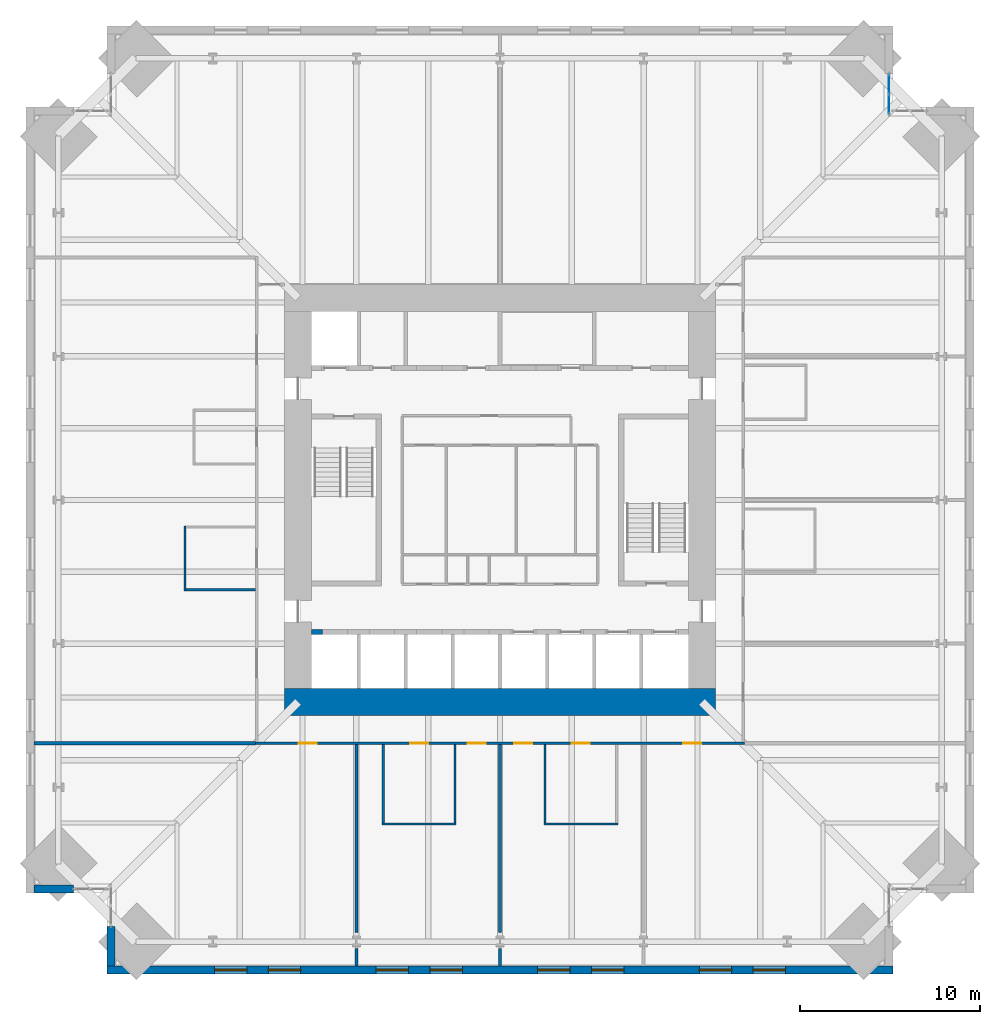
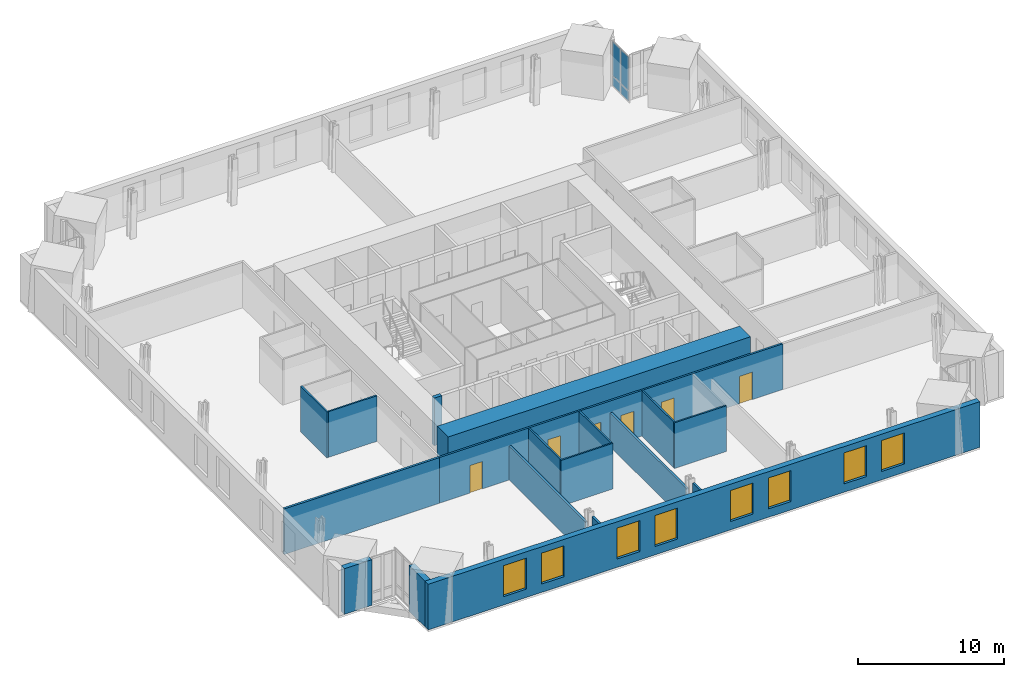
# One storey, part 13 of 18: 18 walls, 8 windows, 6 doors, 4 plates, 14 openings, 1 element without a shape of its own.
"""IFC4 building model written with IfcOpenShell, lengths in metres."""

from ifc_helpers import new_model, si_unit, direction, frame, frame_2d, origin, origin_2d, place, context, subcontext, project, spatial, rectangle, extrude, material, layer, layer_set, type_object, element, fill, aggregate, save


model = new_model("IFC4")

# Units and contexts
model_context = context("Model", 3, precision=1e-05, world=origin(), true_north=direction((0.0, 1.0)))
body_context = subcontext(model_context, "Body", "Model", "MODEL_VIEW")
ifc_project = project(units=[si_unit("LENGTHUNIT", "METRE"), si_unit("AREAUNIT", "SQUARE_METRE"), si_unit("VOLUMEUNIT", "CUBIC_METRE"), si_unit("PLANEANGLEUNIT", "RADIAN"), si_unit("MASSUNIT", "GRAM", prefix="KILO")], contexts=[model_context])

# Site, building, storey
site_placement = place(None, origin())
site = spatial("IfcSite", under=ifc_project, at=site_placement, CompositionType="ELEMENT")
building_placement = place(site_placement, origin())
building = spatial("IfcBuilding", under=site, at=building_placement, Name="Peilmerk Tower", CompositionType="ELEMENT")
storey_placement = place(building_placement, frame((0.0, 0.0, 155.800048828125)))
storey = spatial("IfcBuildingStorey", under=building, at=storey_placement, Name="L32", CompositionType="ELEMENT", Elevation=155.800048828125)

# Curtain wall, plates
ifc_material_1 = material(Name="Aluminium stick curtain wall", Category="aluminium")
curtain_wall_type = type_object("IfcCurtainWallType", Name="CW3 stick curtain wall, 2250 module", PredefinedType="NOTDEFINED", material=ifc_material_1)
curtain_wall_placement = place(storey_placement, origin())
curtain_wall = element("IfcCurtainWall", 1, at=curtain_wall_placement, inside=storey, type_object=curtain_wall_type, Name="Curtain wall CW3 NEA L32", PredefinedType="NOTDEFINED")
ifc_material_2 = material(Name="Clear insulated glazing unit", Category="glass")
ifc_layer_1 = layer(ifc_material_2, 0.028076171875)
ifc_layer_set_1 = layer_set([ifc_layer_1], Name="Clear insulated glazing unit")
plate_type = type_object("IfcPlateType", Name="CW3-P 28 glazed panel", PredefinedType="CURTAIN_PANEL", material=ifc_layer_set_1)
plate_1_placement = place(storey_placement, frame((21.675048828125, 22.038330078125, 0.06494140625), z_axis=(0.0, 0.0, 1.0), x_axis=(0.0, 1.0, 0.0)))
plate_1 = element("IfcPlate", 2, at=plate_1_placement, type_object=plate_type, Name="CW3 panel 1.1", PredefinedType="CURTAIN_PANEL", context=body_context, shape_type="SweptSolid", body=[
    extrude(rectangle(XDim=1.046875, YDim=0.028076171875, at=origin_2d()), origin(), (0.0, 0.0, 1.0), 0.802490234375),
])
plate_2_placement = place(storey_placement, frame((21.675048828125, 22.038330078125, 0.932373046875), z_axis=(0.0, 0.0, 1.0), x_axis=(0.0, 1.0, 0.0)))
plate_2 = element("IfcPlate", 3, at=plate_2_placement, type_object=plate_type, Name="CW3 panel 1.2", PredefinedType="CURTAIN_PANEL", context=body_context, shape_type="SweptSolid", body=[
    extrude(rectangle(XDim=1.046875, YDim=0.028076171875, at=origin_2d()), origin(), (0.0, 0.0, 1.0), 2.83251953125),
])
plate_3_placement = place(storey_placement, frame((21.675048828125, 23.150146484375, 0.06494140625), z_axis=(0.0, 0.0, 1.0), x_axis=(0.0, 1.0, 0.0)))
plate_3 = element("IfcPlate", 4, at=plate_3_placement, type_object=plate_type, Name="CW3 panel 2.1", PredefinedType="CURTAIN_PANEL", context=body_context, shape_type="SweptSolid", body=[
    extrude(rectangle(XDim=1.046875, YDim=0.028076171875, at=origin_2d()), origin(), (0.0, 0.0, 1.0), 0.802490234375),
])
plate_4_placement = place(storey_placement, frame((21.675048828125, 23.150146484375, 0.932373046875), z_axis=(0.0, 0.0, 1.0), x_axis=(0.0, 1.0, 0.0)))
plate_4 = element("IfcPlate", 5, at=plate_4_placement, type_object=plate_type, Name="CW3 panel 2.2", PredefinedType="CURTAIN_PANEL", context=body_context, shape_type="SweptSolid", body=[
    extrude(rectangle(XDim=1.046875, YDim=0.028076171875, at=origin_2d()), origin(), (0.0, 0.0, 1.0), 2.83251953125),
])
aggregate(curtain_wall, [plate_1, plate_2, plate_3, plate_4])

# Wall, openings, windows
ifc_material_3 = material(Name="Precast concrete C45/55, board-marked finish", Category="concrete")
ifc_layer_2 = layer(ifc_material_3, 0.449951171875)
ifc_layer_set_2 = layer_set([ifc_layer_2], Name="Precast concrete C45/55, board-marked finish")
wall_type_1 = type_object("IfcWallType", Name="EW1 450 precast concrete facade wall, board-marked", PredefinedType="SOLIDWALL", material=ifc_layer_set_2)
wall_1_placement = place(storey_placement, frame((-21.89990234375, -26.175048828125, 0.0), z_axis=(0.0, 0.0, 1.0), x_axis=(1.0, 0.0, 0.0)))
wall_1 = element("IfcWall", 6, at=wall_1_placement, inside=storey, type_object=wall_type_1, Name="Facade wall S L32", PredefinedType="SOLIDWALL", context=body_context, shape_type="SweptSolid", body=[
    extrude(rectangle(XDim=43.7998046875, YDim=0.449951171875, at=frame_2d((21.89990234375, 0.0))), origin(), (0.0, 0.0, 1.0), 3.829833984375),
])
opening_1_placement = place(wall_1_placement, frame((6.0, 0.0, 0.699951171875)))
opening_1 = element("IfcOpeningElement", 7, at=opening_1_placement, cuts=wall_1, Name="Opening W1", PredefinedType="OPENING", context=body_context, shape_type="SweptSolid", body=[
    extrude(rectangle(XDim=1.800048828125, YDim=2.60009765625, at=frame_2d((0.89990234375, 1.300048828125))), frame((0.0, 0.23486328125, 0.0), z_axis=(0.0, -1.0, 0.0), x_axis=(1.0, 0.0, 0.0)), (0.0, 0.0, 1.0), 0.469970703125),
])
opening_2_placement = place(wall_1_placement, frame((9.0, 0.0, 0.699951171875)))
opening_2 = element("IfcOpeningElement", 8, at=opening_2_placement, cuts=wall_1, Name="Opening W1", PredefinedType="OPENING", context=body_context, shape_type="SweptSolid", body=[
    extrude(rectangle(XDim=1.800048828125, YDim=2.60009765625, at=frame_2d((0.89990234375, 1.300048828125))), frame((0.0, 0.23486328125, 0.0), z_axis=(0.0, -1.0, 0.0), x_axis=(1.0, 0.0, 0.0)), (0.0, 0.0, 1.0), 0.469970703125),
])
opening_3_placement = place(wall_1_placement, frame((15.0, 0.0, 0.699951171875)))
opening_3 = element("IfcOpeningElement", 9, at=opening_3_placement, cuts=wall_1, Name="Opening W1", PredefinedType="OPENING", context=body_context, shape_type="SweptSolid", body=[
    extrude(rectangle(XDim=1.800048828125, YDim=2.60009765625, at=frame_2d((0.89990234375, 1.300048828125))), frame((0.0, 0.23486328125, 0.0), z_axis=(0.0, -1.0, 0.0), x_axis=(1.0, 0.0, 0.0)), (0.0, 0.0, 1.0), 0.469970703125),
])
opening_4_placement = place(wall_1_placement, frame((18.0, 0.0, 0.699951171875)))
opening_4 = element("IfcOpeningElement", 10, at=opening_4_placement, cuts=wall_1, Name="Opening W1", PredefinedType="OPENING", context=body_context, shape_type="SweptSolid", body=[
    extrude(rectangle(XDim=1.800048828125, YDim=2.60009765625, at=frame_2d((0.89990234375, 1.300048828125))), frame((0.0, 0.23486328125, 0.0), z_axis=(0.0, -1.0, 0.0), x_axis=(1.0, 0.0, 0.0)), (0.0, 0.0, 1.0), 0.469970703125),
])
opening_5_placement = place(wall_1_placement, frame((24.0, 0.0, 0.699951171875)))
opening_5 = element("IfcOpeningElement", 11, at=opening_5_placement, cuts=wall_1, Name="Opening W1", PredefinedType="OPENING", context=body_context, shape_type="SweptSolid", body=[
    extrude(rectangle(XDim=1.800048828125, YDim=2.60009765625, at=frame_2d((0.89990234375, 1.300048828125))), frame((0.0, 0.23486328125, 0.0), z_axis=(0.0, -1.0, 0.0), x_axis=(1.0, 0.0, 0.0)), (0.0, 0.0, 1.0), 0.469970703125),
])
opening_6_placement = place(wall_1_placement, frame((27.0, 0.0, 0.699951171875)))
opening_6 = element("IfcOpeningElement", 12, at=opening_6_placement, cuts=wall_1, Name="Opening W1", PredefinedType="OPENING", context=body_context, shape_type="SweptSolid", body=[
    extrude(rectangle(XDim=1.800048828125, YDim=2.60009765625, at=frame_2d((0.89990234375, 1.300048828125))), frame((0.0, 0.23486328125, 0.0), z_axis=(0.0, -1.0, 0.0), x_axis=(1.0, 0.0, 0.0)), (0.0, 0.0, 1.0), 0.469970703125),
])
opening_7_placement = place(wall_1_placement, frame((33.0, 0.0, 0.699951171875)))
opening_7 = element("IfcOpeningElement", 13, at=opening_7_placement, cuts=wall_1, Name="Opening W1", PredefinedType="OPENING", context=body_context, shape_type="SweptSolid", body=[
    extrude(rectangle(XDim=1.800048828125, YDim=2.60009765625, at=frame_2d((0.89990234375, 1.300048828125))), frame((0.0, 0.23486328125, 0.0), z_axis=(0.0, -1.0, 0.0), x_axis=(1.0, 0.0, 0.0)), (0.0, 0.0, 1.0), 0.469970703125),
])
opening_8_placement = place(wall_1_placement, frame((36.0, 0.0, 0.699951171875)))
opening_8 = element("IfcOpeningElement", 14, at=opening_8_placement, cuts=wall_1, Name="Opening W1", PredefinedType="OPENING", context=body_context, shape_type="SweptSolid", body=[
    extrude(rectangle(XDim=1.800048828125, YDim=2.60009765625, at=frame_2d((0.89990234375, 1.300048828125))), frame((0.0, 0.23486328125, 0.0), z_axis=(0.0, -1.0, 0.0), x_axis=(1.0, 0.0, 0.0)), (0.0, 0.0, 1.0), 0.469970703125),
])
ifc_material_4 = material(Name="Aluminium frame, clear double glazing", Category="aluminium")
window_type = type_object("IfcWindowType", Name="W1 1800x2600 office window", PartitioningType="SINGLE_PANEL", PredefinedType="WINDOW", material=ifc_material_4)
window_1_placement = place(opening_1_placement, origin())
window_1 = element("IfcWindow", 15, at=window_1_placement, inside=storey, type_object=window_type, Name="Window W1 L32", OverallHeight=2.60009765625, OverallWidth=1.800048828125, PartitioningType="SINGLE_PANEL", PredefinedType="WINDOW", context=body_context, shape_type="SweptSolid", body=[
    extrude(rectangle(XDim=1.800048828125, YDim=2.60009765625, at=frame_2d((0.89990234375, 1.300048828125))), frame((0.0, 0.030029296875, 0.0), z_axis=(0.0, -1.0, 0.0), x_axis=(1.0, 0.0, 0.0)), (0.0, 0.0, 1.0), 0.06005859375),
])
fill(opening_1, window_1)
window_2_placement = place(opening_2_placement, origin())
window_2 = element("IfcWindow", 16, at=window_2_placement, inside=storey, type_object=window_type, Name="Window W1 L32", OverallHeight=2.60009765625, OverallWidth=1.800048828125, PartitioningType="SINGLE_PANEL", PredefinedType="WINDOW", context=body_context, shape_type="SweptSolid", body=[
    extrude(rectangle(XDim=1.800048828125, YDim=2.60009765625, at=frame_2d((0.89990234375, 1.300048828125))), frame((0.0, 0.030029296875, 0.0), z_axis=(0.0, -1.0, 0.0), x_axis=(1.0, 0.0, 0.0)), (0.0, 0.0, 1.0), 0.06005859375),
])
fill(opening_2, window_2)
window_3_placement = place(opening_3_placement, origin())
window_3 = element("IfcWindow", 17, at=window_3_placement, inside=storey, type_object=window_type, Name="Window W1 L32", OverallHeight=2.60009765625, OverallWidth=1.800048828125, PartitioningType="SINGLE_PANEL", PredefinedType="WINDOW", context=body_context, shape_type="SweptSolid", body=[
    extrude(rectangle(XDim=1.800048828125, YDim=2.60009765625, at=frame_2d((0.89990234375, 1.300048828125))), frame((0.0, 0.030029296875, 0.0), z_axis=(0.0, -1.0, 0.0), x_axis=(1.0, 0.0, 0.0)), (0.0, 0.0, 1.0), 0.06005859375),
])
fill(opening_3, window_3)
window_4_placement = place(opening_4_placement, origin())
window_4 = element("IfcWindow", 18, at=window_4_placement, inside=storey, type_object=window_type, Name="Window W1 L32", OverallHeight=2.60009765625, OverallWidth=1.800048828125, PartitioningType="SINGLE_PANEL", PredefinedType="WINDOW", context=body_context, shape_type="SweptSolid", body=[
    extrude(rectangle(XDim=1.800048828125, YDim=2.60009765625, at=frame_2d((0.89990234375, 1.300048828125))), frame((0.0, 0.030029296875, 0.0), z_axis=(0.0, -1.0, 0.0), x_axis=(1.0, 0.0, 0.0)), (0.0, 0.0, 1.0), 0.06005859375),
])
fill(opening_4, window_4)
window_5_placement = place(opening_5_placement, origin())
window_5 = element("IfcWindow", 19, at=window_5_placement, inside=storey, type_object=window_type, Name="Window W1 L32", OverallHeight=2.60009765625, OverallWidth=1.800048828125, PartitioningType="SINGLE_PANEL", PredefinedType="WINDOW", context=body_context, shape_type="SweptSolid", body=[
    extrude(rectangle(XDim=1.800048828125, YDim=2.60009765625, at=frame_2d((0.89990234375, 1.300048828125))), frame((0.0, 0.030029296875, 0.0), z_axis=(0.0, -1.0, 0.0), x_axis=(1.0, 0.0, 0.0)), (0.0, 0.0, 1.0), 0.06005859375),
])
fill(opening_5, window_5)
window_6_placement = place(opening_6_placement, origin())
window_6 = element("IfcWindow", 20, at=window_6_placement, inside=storey, type_object=window_type, Name="Window W1 L32", OverallHeight=2.60009765625, OverallWidth=1.800048828125, PartitioningType="SINGLE_PANEL", PredefinedType="WINDOW", context=body_context, shape_type="SweptSolid", body=[
    extrude(rectangle(XDim=1.800048828125, YDim=2.60009765625, at=frame_2d((0.89990234375, 1.300048828125))), frame((0.0, 0.030029296875, 0.0), z_axis=(0.0, -1.0, 0.0), x_axis=(1.0, 0.0, 0.0)), (0.0, 0.0, 1.0), 0.06005859375),
])
fill(opening_6, window_6)
window_7_placement = place(opening_7_placement, origin())
window_7 = element("IfcWindow", 21, at=window_7_placement, inside=storey, type_object=window_type, Name="Window W1 L32", OverallHeight=2.60009765625, OverallWidth=1.800048828125, PartitioningType="SINGLE_PANEL", PredefinedType="WINDOW", context=body_context, shape_type="SweptSolid", body=[
    extrude(rectangle(XDim=1.800048828125, YDim=2.60009765625, at=frame_2d((0.89990234375, 1.300048828125))), frame((0.0, 0.030029296875, 0.0), z_axis=(0.0, -1.0, 0.0), x_axis=(1.0, 0.0, 0.0)), (0.0, 0.0, 1.0), 0.06005859375),
])
fill(opening_7, window_7)
window_8_placement = place(opening_8_placement, origin())
window_8 = element("IfcWindow", 22, at=window_8_placement, inside=storey, type_object=window_type, Name="Window W1 L32", OverallHeight=2.60009765625, OverallWidth=1.800048828125, PartitioningType="SINGLE_PANEL", PredefinedType="WINDOW", context=body_context, shape_type="SweptSolid", body=[
    extrude(rectangle(XDim=1.800048828125, YDim=2.60009765625, at=frame_2d((0.89990234375, 1.300048828125))), frame((0.0, 0.030029296875, 0.0), z_axis=(0.0, -1.0, 0.0), x_axis=(1.0, 0.0, 0.0)), (0.0, 0.0, 1.0), 0.06005859375),
])
fill(opening_8, window_8)

# Walls
for number, where, z_axis, x_axis, name in (
    (23, (-21.675048828125, -23.753662109375, 0.0), (0.0, 0.0, 1.0), (0.0, -1.0, 0.0), "Facade wall SWA L32"),
    (24, (-23.753662109375, -21.675048828125, 0.0), (0.0, 0.0, 1.0), (-1.0, 0.0, 0.0), "Facade wall SWB L32"),
):
    element("IfcWall", number, at=place(storey_placement, frame(where, z_axis=z_axis, x_axis=x_axis)), inside=storey, type_object=wall_type_1, Name=name, PredefinedType="SOLIDWALL", context=body_context, shape_type="SweptSolid", body=[
        extrude(rectangle(XDim=2.1962890625, YDim=0.449951171875, at=frame_2d((1.09814453125, 0.0))), origin(), (0.0, 0.0, 1.0), 3.829833984375),
    ])

# Wall, openings, doors
ifc_material_5 = material(Name="Calcium silicate block", Category="masonry")
ifc_layer_3 = layer(ifc_material_5, 0.14990234375)
ifc_layer_set_3 = layer_set([ifc_layer_3], Name="Calcium silicate block")
wall_type_2 = type_object("IfcWallType", Name="IW1 150 corridor partition, EI 60", PredefinedType="PARTITIONING", material=ifc_layer_set_3)
wall_2_placement = place(storey_placement, frame((13.625, -13.550048828125, 0.0), z_axis=(0.0, 0.0, 1.0), x_axis=(-1.0, 0.0, 0.0)))
wall_2 = element("IfcWall", 25, at=wall_2_placement, inside=storey, type_object=wall_type_2, Name="Corridor wall S L32", PredefinedType="PARTITIONING", context=body_context, shape_type="SweptSolid", body=[
    extrude(rectangle(XDim=27.25, YDim=0.14990234375, at=frame_2d((13.625, 0.0))), origin(), (0.0, 0.0, 1.0), 3.829833984375),
])
opening_9_placement = place(wall_2_placement, frame((23.824951171875, 0.0, 0.0)))
opening_9 = element("IfcOpeningElement", 26, at=opening_9_placement, cuts=wall_2, Name="Opening D1", PredefinedType="OPENING", context=body_context, shape_type="SweptSolid", body=[
    extrude(rectangle(XDim=1.0, YDim=2.300048828125, at=frame_2d((0.5, 1.14990234375))), frame((0.0, 0.0849609375, 0.0), z_axis=(0.0, -1.0, 0.0), x_axis=(1.0, 0.0, 0.0)), (0.0, 0.0, 1.0), 0.169921875),
])
opening_10_placement = place(wall_2_placement, frame((14.425048828125, 0.0, 0.0)))
opening_10 = element("IfcOpeningElement", 27, at=opening_10_placement, cuts=wall_2, Name="Opening D1", PredefinedType="OPENING", context=body_context, shape_type="SweptSolid", body=[
    extrude(rectangle(XDim=1.0, YDim=2.300048828125, at=frame_2d((0.5, 1.14990234375))), frame((0.0, 0.0849609375, 0.0), z_axis=(0.0, -1.0, 0.0), x_axis=(1.0, 0.0, 0.0)), (0.0, 0.0, 1.0), 0.169921875),
])
opening_11_placement = place(wall_2_placement, frame((11.824951171875, 0.0, 0.0)))
opening_11 = element("IfcOpeningElement", 28, at=opening_11_placement, cuts=wall_2, Name="Opening D1", PredefinedType="OPENING", context=body_context, shape_type="SweptSolid", body=[
    extrude(rectangle(XDim=1.0, YDim=2.300048828125, at=frame_2d((0.5, 1.14990234375))), frame((0.0, 0.0849609375, 0.0), z_axis=(0.0, -1.0, 0.0), x_axis=(1.0, 0.0, 0.0)), (0.0, 0.0, 1.0), 0.169921875),
])
opening_12_placement = place(wall_2_placement, frame((2.425048828125, 0.0, 0.0)))
opening_12 = element("IfcOpeningElement", 29, at=opening_12_placement, cuts=wall_2, Name="Opening D1", PredefinedType="OPENING", context=body_context, shape_type="SweptSolid", body=[
    extrude(rectangle(XDim=1.0, YDim=2.300048828125, at=frame_2d((0.5, 1.14990234375))), frame((0.0, 0.0849609375, 0.0), z_axis=(0.0, -1.0, 0.0), x_axis=(1.0, 0.0, 0.0)), (0.0, 0.0, 1.0), 0.169921875),
])
opening_13_placement = place(wall_2_placement, frame((17.625, 0.0, 0.0)))
opening_13 = element("IfcOpeningElement", 30, at=opening_13_placement, cuts=wall_2, Name="Opening D1", PredefinedType="OPENING", context=body_context, shape_type="SweptSolid", body=[
    extrude(rectangle(XDim=1.0, YDim=2.300048828125, at=frame_2d((0.5, 1.14990234375))), frame((0.0, 0.0849609375, 0.0), z_axis=(0.0, -1.0, 0.0), x_axis=(1.0, 0.0, 0.0)), (0.0, 0.0, 1.0), 0.169921875),
])
opening_14_placement = place(wall_2_placement, frame((8.625, 0.0, 0.0)))
opening_14 = element("IfcOpeningElement", 31, at=opening_14_placement, cuts=wall_2, Name="Opening D1", PredefinedType="OPENING", context=body_context, shape_type="SweptSolid", body=[
    extrude(rectangle(XDim=1.0, YDim=2.300048828125, at=frame_2d((0.5, 1.14990234375))), frame((0.0, 0.0849609375, 0.0), z_axis=(0.0, -1.0, 0.0), x_axis=(1.0, 0.0, 0.0)), (0.0, 0.0, 1.0), 0.169921875),
])
ifc_material_6 = material(Name="Timber door in steel frame", Category="steel")
door_type = type_object("IfcDoorType", Name="D1 1000x2300 room door, EI2 30", OperationType="SINGLE_SWING_LEFT", PredefinedType="DOOR", material=ifc_material_6)
door_1_placement = place(opening_9_placement, origin())
door_1 = element("IfcDoor", 32, at=door_1_placement, inside=storey, type_object=door_type, Name="Door Office L32", OperationType="SINGLE_SWING_LEFT", OverallHeight=2.300048828125, OverallWidth=1.0, PredefinedType="DOOR", context=body_context, shape_type="SweptSolid", body=[
    extrude(rectangle(XDim=1.0, YDim=2.300048828125, at=frame_2d((0.5, 1.14990234375))), frame((0.0, 0.02490234375, 0.0), z_axis=(0.0, -1.0, 0.0), x_axis=(1.0, 0.0, 0.0)), (0.0, 0.0, 1.0), 0.050048828125),
])
fill(opening_9, door_1)
door_2_placement = place(opening_10_placement, origin())
door_2 = element("IfcDoor", 33, at=door_2_placement, inside=storey, type_object=door_type, Name="Door Office L32", OperationType="SINGLE_SWING_LEFT", OverallHeight=2.300048828125, OverallWidth=1.0, PredefinedType="DOOR", context=body_context, shape_type="SweptSolid", body=[
    extrude(rectangle(XDim=1.0, YDim=2.300048828125, at=frame_2d((0.5, 1.14990234375))), frame((0.0, 0.02490234375, 0.0), z_axis=(0.0, -1.0, 0.0), x_axis=(1.0, 0.0, 0.0)), (0.0, 0.0, 1.0), 0.050048828125),
])
fill(opening_10, door_2)
door_3_placement = place(opening_11_placement, origin())
door_3 = element("IfcDoor", 34, at=door_3_placement, inside=storey, type_object=door_type, Name="Door Project room L32", OperationType="SINGLE_SWING_LEFT", OverallHeight=2.300048828125, OverallWidth=1.0, PredefinedType="DOOR", context=body_context, shape_type="SweptSolid", body=[
    extrude(rectangle(XDim=1.0, YDim=2.300048828125, at=frame_2d((0.5, 1.14990234375))), frame((0.0, 0.02490234375, 0.0), z_axis=(0.0, -1.0, 0.0), x_axis=(1.0, 0.0, 0.0)), (0.0, 0.0, 1.0), 0.050048828125),
])
fill(opening_11, door_3)
door_4_placement = place(opening_12_placement, origin())
door_4 = element("IfcDoor", 35, at=door_4_placement, inside=storey, type_object=door_type, Name="Door Office L32", OperationType="SINGLE_SWING_LEFT", OverallHeight=2.300048828125, OverallWidth=1.0, PredefinedType="DOOR", context=body_context, shape_type="SweptSolid", body=[
    extrude(rectangle(XDim=1.0, YDim=2.300048828125, at=frame_2d((0.5, 1.14990234375))), frame((0.0, 0.02490234375, 0.0), z_axis=(0.0, -1.0, 0.0), x_axis=(1.0, 0.0, 0.0)), (0.0, 0.0, 1.0), 0.050048828125),
])
fill(opening_12, door_4)
door_5_placement = place(opening_13_placement, origin())
door_5 = element("IfcDoor", 36, at=door_5_placement, inside=storey, type_object=door_type, Name="Door Meeting room L32", OperationType="SINGLE_SWING_LEFT", OverallHeight=2.300048828125, OverallWidth=1.0, PredefinedType="DOOR", context=body_context, shape_type="SweptSolid", body=[
    extrude(rectangle(XDim=1.0, YDim=2.300048828125, at=frame_2d((0.5, 1.14990234375))), frame((0.0, 0.02490234375, 0.0), z_axis=(0.0, -1.0, 0.0), x_axis=(1.0, 0.0, 0.0)), (0.0, 0.0, 1.0), 0.050048828125),
])
fill(opening_13, door_5)
door_6_placement = place(opening_14_placement, origin())
door_6 = element("IfcDoor", 37, at=door_6_placement, inside=storey, type_object=door_type, Name="Door Meeting room L32", OperationType="SINGLE_SWING_LEFT", OverallHeight=2.300048828125, OverallWidth=1.0, PredefinedType="DOOR", context=body_context, shape_type="SweptSolid", body=[
    extrude(rectangle(XDim=1.0, YDim=2.300048828125, at=frame_2d((0.5, 1.14990234375))), frame((0.0, 0.02490234375, 0.0), z_axis=(0.0, -1.0, 0.0), x_axis=(1.0, 0.0, 0.0)), (0.0, 0.0, 1.0), 0.050048828125),
])
fill(opening_14, door_6)

# Walls
ifc_material_7 = material(Name="Plasterboard on steel studs, double boarded with mineral wool", Category="steel")
ifc_layer_4 = layer(ifc_material_7, 0.125)
ifc_layer_set_4 = layer_set([ifc_layer_4], Name="Plasterboard on steel studs, double boarded with mineral wool")
wall_type_3 = type_object("IfcWallType", Name="IW7 125 acoustic partition, EI 30", PredefinedType="PARTITIONING", material=ifc_layer_set_4)
wall_3_placement = place(storey_placement, frame((-17.550048828125, -5.0625, 0.0), z_axis=(0.0, 0.0, 1.0), x_axis=(0.0, 1.0, 0.0)))
element("IfcWall", 38, at=wall_3_placement, inside=storey, type_object=wall_type_3, Name="Acoustic partition Pantry L32", PredefinedType="PARTITIONING", context=body_context, shape_type="SweptSolid", body=[
    extrude(rectangle(XDim=3.625, YDim=0.125, at=frame_2d((1.8125, 0.0))), origin(), (0.0, 0.0, 1.0), 3.829833984375),
])
wall_4_placement = place(storey_placement, frame((-13.625, -5.0, 0.0), z_axis=(0.0, 0.0, 1.0), x_axis=(-1.0, 0.0, 0.0)))
element("IfcWall", 39, at=wall_4_placement, inside=storey, type_object=wall_type_3, Name="Acoustic partition Pantry L32", PredefinedType="PARTITIONING", context=body_context, shape_type="SweptSolid", body=[
    extrude(rectangle(XDim=3.862548828125, YDim=0.125, at=frame_2d((1.93115234375, 0.0))), origin(), (0.0, 0.0, 1.0), 3.829833984375),
])
wall_5_placement = place(storey_placement, frame((-6.5625, -18.050048828125, 0.0), z_axis=(0.0, 0.0, 1.0), x_axis=(1.0, 0.0, 0.0)))
element("IfcWall", 40, at=wall_5_placement, inside=storey, type_object=wall_type_3, Name="Acoustic partition Meeting room L32", PredefinedType="PARTITIONING", context=body_context, shape_type="SweptSolid", body=[
    extrude(rectangle(XDim=4.125, YDim=0.125, at=frame_2d((2.0625, 0.0))), origin(), (0.0, 0.0, 1.0), 3.829833984375),
])
for number, where, z_axis, x_axis, name in (
    (41, (-6.5, -13.625, 0.0), (0.0, 0.0, 1.0), (0.0, -1.0, 0.0), "Acoustic partition Meeting room L32"),
    (42, (-2.5, -13.625, 0.0), (0.0, 0.0, 1.0), (0.0, -1.0, 0.0), "Acoustic partition Meeting room L32"),
):
    element("IfcWall", number, at=place(storey_placement, frame(where, z_axis=z_axis, x_axis=x_axis)), inside=storey, type_object=wall_type_3, Name=name, PredefinedType="PARTITIONING", context=body_context, shape_type="SweptSolid", body=[
        extrude(rectangle(XDim=4.362548828125, YDim=0.125, at=frame_2d((2.18115234375, 0.0))), origin(), (0.0, 0.0, 1.0), 3.829833984375),
    ])
wall_6_placement = place(storey_placement, frame((2.4375, -18.050048828125, 0.0), z_axis=(0.0, 0.0, 1.0), x_axis=(1.0, 0.0, 0.0)))
element("IfcWall", 43, at=wall_6_placement, inside=storey, type_object=wall_type_3, Name="Acoustic partition Meeting room L32", PredefinedType="PARTITIONING", context=body_context, shape_type="SweptSolid", body=[
    extrude(rectangle(XDim=4.125, YDim=0.125, at=frame_2d((2.0625, 0.0))), origin(), (0.0, 0.0, 1.0), 3.829833984375),
])
wall_7_placement = place(storey_placement, frame((2.5, -13.625, 0.0), z_axis=(0.0, 0.0, 1.0), x_axis=(0.0, -1.0, 0.0)))
element("IfcWall", 44, at=wall_7_placement, inside=storey, type_object=wall_type_3, Name="Acoustic partition Meeting room L32", PredefinedType="PARTITIONING", context=body_context, shape_type="SweptSolid", body=[
    extrude(rectangle(XDim=4.362548828125, YDim=0.125, at=frame_2d((2.18115234375, 0.0))), origin(), (0.0, 0.0, 1.0), 3.829833984375),
])
ifc_layer_5 = layer(ifc_material_5, 0.175048828125)
ifc_layer_set_5 = layer_set([ifc_layer_5], Name="Calcium silicate block")
wall_type_4 = type_object("IfcWallType", Name="IW8 175 tenant separating wall, EI 60", PredefinedType="PARTITIONING", material=ifc_layer_set_5)
wall_8_placement = place(storey_placement, frame((-13.625, -13.550048828125, 0.0), z_axis=(0.0, 0.0, 1.0), x_axis=(-1.0, 0.0, 0.0)))
element("IfcWall", 45, at=wall_8_placement, inside=storey, type_object=wall_type_4, Name="Tenant separating wall SW L32", PredefinedType="PARTITIONING", context=body_context, shape_type="SweptSolid", body=[
    extrude(rectangle(XDim=12.324951171875, YDim=0.175048828125, at=frame_2d((6.16259765625, 0.0))), origin(), (0.0, 0.0, 1.0), 3.829833984375),
])
wall_9_placement = place(storey_placement, frame((-8.0, -13.625, 0.0), z_axis=(0.0, 0.0, 1.0), x_axis=(0.0, -1.0, 0.0)))
element("IfcWall", 46, at=wall_9_placement, inside=storey, type_object=wall_type_4, Name="Tenant separating wall S1 L32", PredefinedType="PARTITIONING", context=body_context, shape_type="SweptSolid", body=[
    extrude(rectangle(XDim=10.46435546875, YDim=0.175048828125, at=frame_2d((5.232177734375, 0.0))), origin(), (0.0, 0.0, 1.0), 2.83984375),
])
wall_10_placement = place(storey_placement, frame((-8.0, -24.978515625, 0.0), z_axis=(0.0, 0.0, 1.0), x_axis=(0.0, -1.0, 0.0)))
element("IfcWall", 47, at=wall_10_placement, inside=storey, type_object=wall_type_4, Name="Tenant separating wall S1b L32", PredefinedType="PARTITIONING", context=body_context, shape_type="SweptSolid", body=[
    extrude(rectangle(XDim=0.971435546875, YDim=0.175048828125, at=frame_2d((0.48583984375, 0.0))), origin(), (0.0, 0.0, 1.0), 3.829833984375),
])
wall_11_placement = place(storey_placement, frame((0.0, -13.625, 0.0), z_axis=(0.0, 0.0, 1.0), x_axis=(0.0, -1.0, 0.0)))
element("IfcWall", 48, at=wall_11_placement, inside=storey, type_object=wall_type_4, Name="Tenant separating wall S2 L32", PredefinedType="PARTITIONING", context=body_context, shape_type="SweptSolid", body=[
    extrude(rectangle(XDim=10.46435546875, YDim=0.175048828125, at=frame_2d((5.232177734375, 0.0))), origin(), (0.0, 0.0, 1.0), 2.83984375),
])
wall_12_placement = place(storey_placement, frame((0.0, -24.978515625, 0.0), z_axis=(0.0, 0.0, 1.0), x_axis=(0.0, -1.0, 0.0)))
element("IfcWall", 49, at=wall_12_placement, inside=storey, type_object=wall_type_4, Name="Tenant separating wall S2b L32", PredefinedType="PARTITIONING", context=body_context, shape_type="SweptSolid", body=[
    extrude(rectangle(XDim=0.971435546875, YDim=0.175048828125, at=frame_2d((0.48583984375, 0.0))), origin(), (0.0, 0.0, 1.0), 3.829833984375),
])
ifc_material_8 = material(Name="Concrete C55/67", Category="concrete")
ifc_layer_6 = layer(ifc_material_8, 1.5)
ifc_layer_set_6 = layer_set([ifc_layer_6], Name="Concrete C55/67")
wall_type_5 = type_object("IfcWallType", Name="SW1 1500 core wall", PredefinedType="SHEAR", material=ifc_layer_set_6)
wall_13_placement = place(storey_placement, frame((12.0, -11.25, 0.0), z_axis=(0.0, 0.0, 1.0), x_axis=(-1.0, 0.0, 0.0)))
element("IfcWall", 50, at=wall_13_placement, inside=storey, type_object=wall_type_5, Name="Core wall S L32", PredefinedType="SHEAR", context=body_context, shape_type="SweptSolid", body=[
    extrude(rectangle(XDim=24.0, YDim=1.5, at=frame_2d((12.0, 0.0))), origin(), (0.0, 0.0, 1.0), 4.0),
])
ifc_layer_7 = layer(ifc_material_8, 0.300048828125)
ifc_layer_set_7 = layer_set([ifc_layer_7], Name="Concrete C55/67")
wall_type_6 = type_object("IfcWallType", Name="SW2 300 lift bank pier", PredefinedType="SHEAR", material=ifc_layer_set_7)
wall_14_placement = place(storey_placement, frame((-10.5, -7.35009765625, 0.0), z_axis=(0.0, 0.0, 1.0), x_axis=(1.0, 0.0, 0.0)))
element("IfcWall", 51, at=wall_14_placement, inside=storey, type_object=wall_type_6, Name="Lift bank pier S L32", PredefinedType="SHEAR", context=body_context, shape_type="SweptSolid", body=[
    extrude(rectangle(XDim=0.612548828125, YDim=0.300048828125, at=frame_2d((0.30615234375, 0.0))), origin(), (0.0, 0.0, 1.0), 4.0),
])

save(model, "model.ifc")
